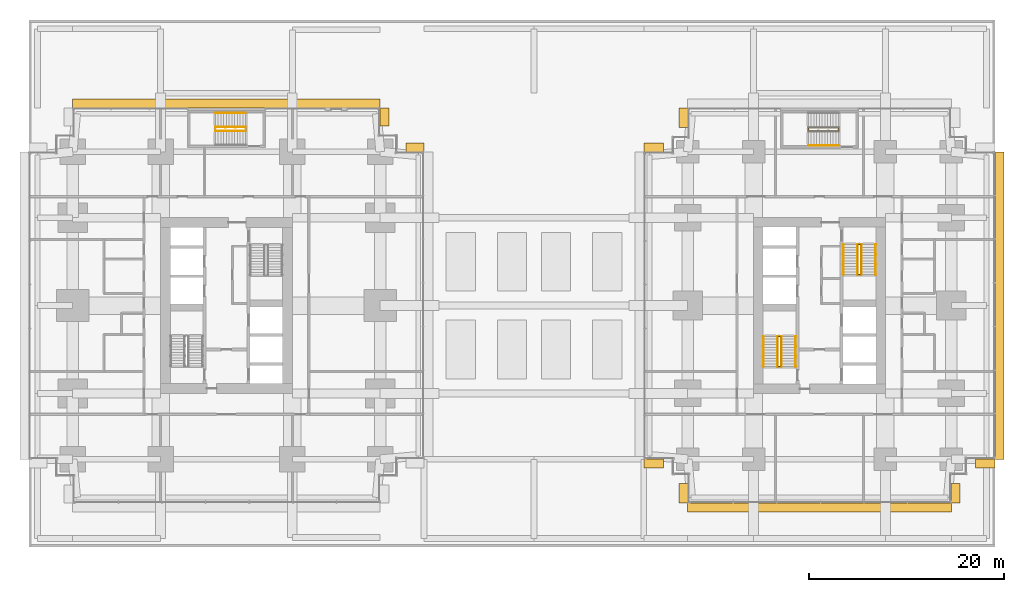
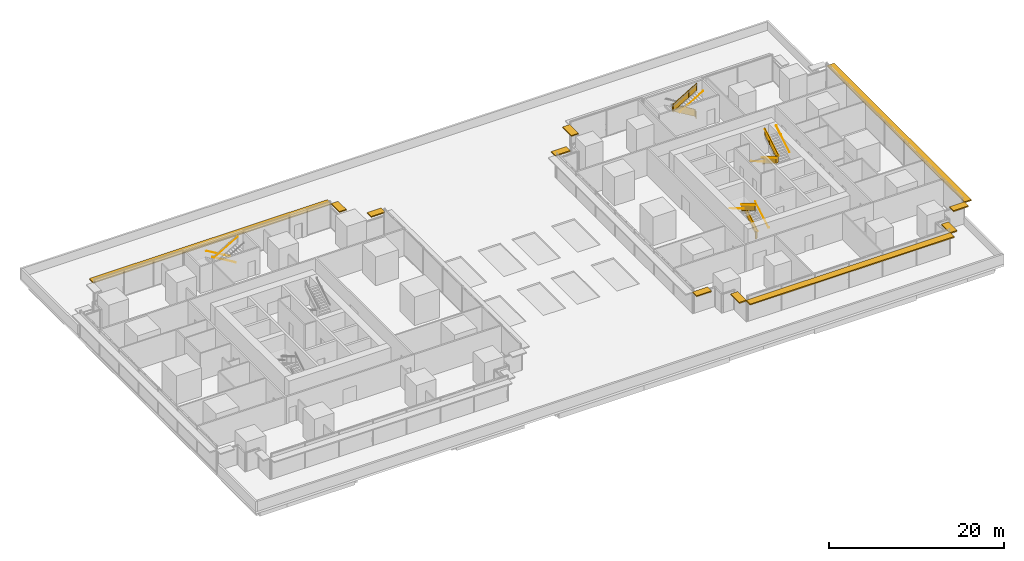
# One storey, part 33 of 34: 15 railings, 11 shading devices.
"""IFC4 building model written with IfcOpenShell, lengths in metres."""

from ifc_helpers import new_model, si_unit, direction, frame, origin, origin_2d, place, context, subcontext, project, spatial, polyline, rectangle, circle, outline, extrude, material, layer, layer_set, type_object, element, save


model = new_model("IFC4")

# Units and contexts
model_context = context("Model", 3, precision=1e-05, world=origin(), true_north=direction((0.0, 1.0)))
body_context = subcontext(model_context, "Body", "Model", "MODEL_VIEW")
ifc_project = project(units=[si_unit("LENGTHUNIT", "METRE"), si_unit("AREAUNIT", "SQUARE_METRE"), si_unit("VOLUMEUNIT", "CUBIC_METRE"), si_unit("PLANEANGLEUNIT", "RADIAN"), si_unit("MASSUNIT", "GRAM", prefix="KILO")], contexts=[model_context])

# Site, building, storey
site_placement = place(None, origin())
site = spatial("IfcSite", under=ifc_project, at=site_placement, CompositionType="ELEMENT")
building_placement = place(site_placement, origin())
building = spatial("IfcBuilding", under=site, at=building_placement, Name="Namib Vertical Campus", CompositionType="ELEMENT")
storey_placement = place(building_placement, frame((0.0, 0.0, 21.0)))
storey = spatial("IfcBuildingStorey", under=building, at=storey_placement, Name="L04", CompositionType="ELEMENT", Elevation=21.0)

# Railings
ifc_material_1 = material(Name="Steel handrail", Category="steel")
railing_type_1 = type_object("IfcRailingType", Name="Handrail 900", PredefinedType="HANDRAIL", material=ifc_material_1)
railing_1_placement = place(storey_placement, frame((78.550048828125, 14.0, 0.166748046875)))
element("IfcRailing", 1, at=railing_1_placement, inside=storey, type_object=railing_type_1, Name="Handrail HR1 B-S1 L04 1", PredefinedType="HANDRAIL", context=body_context, shape_type="SweptSolid", body=[
    extrude(circle(Radius=0.02392578125, at=origin_2d()), frame((0.0, 0.0, 0.8759765625), z_axis=(0.0, 0.859308565015, 0.511457515432), x_axis=(-1.0, 0.0, 0.0)), (0.0, 0.0, 1.0), 3.58447265625),
    extrude(circle(Radius=0.008056640625, at=origin_2d()), frame((0.0, 0.0, 0.8759765625), z_axis=(1.0, 0.0, 0.0), x_axis=(0.0, 0.0, 1.0)), (0.0, 0.0, 1.0), 0.050048828125),
    extrude(circle(Radius=0.008056640625, at=origin_2d()), frame((0.0, 1.026611328125, 1.48681640625), z_axis=(1.0, 0.0, 0.0), x_axis=(0.0, 0.0, 1.0)), (0.0, 0.0, 1.0), 0.050048828125),
    extrude(circle(Radius=0.008056640625, at=origin_2d()), frame((0.0, 2.053466796875, 2.09814453125), z_axis=(1.0, 0.0, 0.0), x_axis=(0.0, 0.0, 1.0)), (0.0, 0.0, 1.0), 0.050048828125),
    extrude(circle(Radius=0.008056640625, at=origin_2d()), frame((0.0, 3.080078125, 2.708984375), z_axis=(1.0, 0.0, 0.0), x_axis=(0.0, 0.0, 1.0)), (0.0, 0.0, 1.0), 0.050048828125),
])
railing_2_placement = place(storey_placement, frame((75.25, 17.080078125, 2.166748046875)))
element("IfcRailing", 2, at=railing_2_placement, inside=storey, type_object=railing_type_1, Name="Handrail HR1 B-S1 L04 2", PredefinedType="HANDRAIL", context=body_context, shape_type="SweptSolid", body=[
    extrude(circle(Radius=0.02392578125, at=origin_2d()), frame((0.0, 0.0, 0.8759765625), z_axis=(0.0, -0.859308565015, 0.511457515432), x_axis=(1.0, 0.0, 0.0)), (0.0, 0.0, 1.0), 3.58447265625),
    extrude(circle(Radius=0.008056640625, at=origin_2d()), frame((0.0, 0.0, 0.8759765625), z_axis=(-1.0, 0.0, 0.0), x_axis=(0.0, 0.0, 1.0)), (0.0, 0.0, 1.0), 0.050048828125),
    extrude(circle(Radius=0.008056640625, at=origin_2d()), frame((0.0, -1.026611328125, 1.48681640625), z_axis=(-1.0, 0.0, 0.0), x_axis=(0.0, 0.0, 1.0)), (0.0, 0.0, 1.0), 0.050048828125),
    extrude(circle(Radius=0.008056640625, at=origin_2d()), frame((0.0, -2.053466796875, 2.09814453125), z_axis=(-1.0, 0.0, 0.0), x_axis=(0.0, 0.0, 1.0)), (0.0, 0.0, 1.0), 0.050048828125),
    extrude(circle(Radius=0.008056640625, at=origin_2d()), frame((0.0, -3.080078125, 2.708984375), z_axis=(-1.0, 0.0, 0.0), x_axis=(0.0, 0.0, 1.0)), (0.0, 0.0, 1.0), 0.050048828125),
])
railing_3_placement = place(storey_placement, frame((77.10009765625, 14.0, 0.166748046875)))
element("IfcRailing", 3, at=railing_3_placement, inside=storey, type_object=railing_type_1, Name="Handrail HR1 B-S1 L04 1 at the well", PredefinedType="HANDRAIL", context=body_context, shape_type="SweptSolid", body=[
    extrude(circle(Radius=0.02392578125, at=origin_2d()), frame((0.0, 0.0, 0.8759765625), z_axis=(0.0, 0.859308565015, 0.511457515432), x_axis=(-1.0, 0.0, 0.0)), (0.0, 0.0, 1.0), 3.58447265625),
    extrude(circle(Radius=0.008056640625, at=origin_2d()), frame((0.0, 0.0, 0.8759765625), z_axis=(-1.0, 0.0, 0.0), x_axis=(0.0, 0.0, 1.0)), (0.0, 0.0, 1.0), 0.0400390625),
    extrude(circle(Radius=0.008056640625, at=origin_2d()), frame((0.0, 1.026611328125, 1.48681640625), z_axis=(-1.0, 0.0, 0.0), x_axis=(0.0, 0.0, 1.0)), (0.0, 0.0, 1.0), 0.0400390625),
    extrude(circle(Radius=0.008056640625, at=origin_2d()), frame((0.0, 2.053466796875, 2.09814453125), z_axis=(-1.0, 0.0, 0.0), x_axis=(0.0, 0.0, 1.0)), (0.0, 0.0, 1.0), 0.0400390625),
    extrude(circle(Radius=0.008056640625, at=origin_2d()), frame((0.0, 3.080078125, 2.708984375), z_axis=(-1.0, 0.0, 0.0), x_axis=(0.0, 0.0, 1.0)), (0.0, 0.0, 1.0), 0.0400390625),
])
railing_4_placement = place(storey_placement, frame((76.699951171875, 17.080078125, 2.166748046875)))
element("IfcRailing", 4, at=railing_4_placement, inside=storey, type_object=railing_type_1, Name="Handrail HR1 B-S1 L04 2 at the well", PredefinedType="HANDRAIL", context=body_context, shape_type="SweptSolid", body=[
    extrude(circle(Radius=0.02392578125, at=origin_2d()), frame((0.0, 0.0, 0.8759765625), z_axis=(0.0, -0.859308565015, 0.511457515432), x_axis=(1.0, 0.0, 0.0)), (0.0, 0.0, 1.0), 3.58447265625),
    extrude(circle(Radius=0.008056640625, at=origin_2d()), frame((0.0, 0.0, 0.8759765625), z_axis=(1.0, 0.0, 0.0), x_axis=(0.0, 0.0, 1.0)), (0.0, 0.0, 1.0), 0.0400390625),
    extrude(circle(Radius=0.008056640625, at=origin_2d()), frame((0.0, -1.026611328125, 1.48681640625), z_axis=(1.0, 0.0, 0.0), x_axis=(0.0, 0.0, 1.0)), (0.0, 0.0, 1.0), 0.0400390625),
    extrude(circle(Radius=0.008056640625, at=origin_2d()), frame((0.0, -2.053466796875, 2.09814453125), z_axis=(1.0, 0.0, 0.0), x_axis=(0.0, 0.0, 1.0)), (0.0, 0.0, 1.0), 0.0400390625),
    extrude(circle(Radius=0.008056640625, at=origin_2d()), frame((0.0, -3.080078125, 2.708984375), z_axis=(1.0, 0.0, 0.0), x_axis=(0.0, 0.0, 1.0)), (0.0, 0.0, 1.0), 0.0400390625),
])
railing_5_placement = place(storey_placement, frame((83.449951171875, 26.5, 0.166748046875)))
element("IfcRailing", 5, at=railing_5_placement, inside=storey, type_object=railing_type_1, Name="Handrail HR1 B-S2 L04 1", PredefinedType="HANDRAIL", context=body_context, shape_type="SweptSolid", body=[
    extrude(circle(Radius=0.02392578125, at=origin_2d()), frame((0.0, 0.0, 0.8759765625), z_axis=(0.0, -0.859308565015, 0.511457515432), x_axis=(1.0, 0.0, 0.0)), (0.0, 0.0, 1.0), 3.58447265625),
    extrude(circle(Radius=0.008056640625, at=origin_2d()), frame((0.0, 0.0, 0.8759765625), z_axis=(-1.0, 0.0, 0.0), x_axis=(0.0, 0.0, 1.0)), (0.0, 0.0, 1.0), 0.050048828125),
    extrude(circle(Radius=0.008056640625, at=origin_2d()), frame((0.0, -1.026611328125, 1.48681640625), z_axis=(-1.0, 0.0, 0.0), x_axis=(0.0, 0.0, 1.0)), (0.0, 0.0, 1.0), 0.050048828125),
    extrude(circle(Radius=0.008056640625, at=origin_2d()), frame((0.0, -2.053466796875, 2.09814453125), z_axis=(-1.0, 0.0, 0.0), x_axis=(0.0, 0.0, 1.0)), (0.0, 0.0, 1.0), 0.050048828125),
    extrude(circle(Radius=0.008056640625, at=origin_2d()), frame((0.0, -3.080078125, 2.708984375), z_axis=(-1.0, 0.0, 0.0), x_axis=(0.0, 0.0, 1.0)), (0.0, 0.0, 1.0), 0.050048828125),
])
railing_6_placement = place(storey_placement, frame((86.75, 23.419921875, 2.166748046875)))
element("IfcRailing", 6, at=railing_6_placement, inside=storey, type_object=railing_type_1, Name="Handrail HR1 B-S2 L04 2", PredefinedType="HANDRAIL", context=body_context, shape_type="SweptSolid", body=[
    extrude(circle(Radius=0.02392578125, at=origin_2d()), frame((0.0, 0.0, 0.8759765625), z_axis=(0.0, 0.859308565015, 0.511457515432), x_axis=(-1.0, 0.0, 0.0)), (0.0, 0.0, 1.0), 3.58447265625),
    extrude(circle(Radius=0.008056640625, at=origin_2d()), frame((0.0, 0.0, 0.8759765625), z_axis=(1.0, 0.0, 0.0), x_axis=(0.0, 0.0, 1.0)), (0.0, 0.0, 1.0), 0.050048828125),
    extrude(circle(Radius=0.008056640625, at=origin_2d()), frame((0.0, 1.026611328125, 1.48681640625), z_axis=(1.0, 0.0, 0.0), x_axis=(0.0, 0.0, 1.0)), (0.0, 0.0, 1.0), 0.050048828125),
    extrude(circle(Radius=0.008056640625, at=origin_2d()), frame((0.0, 2.053466796875, 2.09814453125), z_axis=(1.0, 0.0, 0.0), x_axis=(0.0, 0.0, 1.0)), (0.0, 0.0, 1.0), 0.050048828125),
    extrude(circle(Radius=0.008056640625, at=origin_2d()), frame((0.0, 3.080078125, 2.708984375), z_axis=(1.0, 0.0, 0.0), x_axis=(0.0, 0.0, 1.0)), (0.0, 0.0, 1.0), 0.050048828125),
])
railing_7_placement = place(storey_placement, frame((84.89990234375, 26.5, 0.166748046875)))
element("IfcRailing", 7, at=railing_7_placement, inside=storey, type_object=railing_type_1, Name="Handrail HR1 B-S2 L04 1 at the well", PredefinedType="HANDRAIL", context=body_context, shape_type="SweptSolid", body=[
    extrude(circle(Radius=0.02392578125, at=origin_2d()), frame((0.0, 0.0, 0.8759765625), z_axis=(0.0, -0.859308565015, 0.511457515432), x_axis=(1.0, 0.0, 0.0)), (0.0, 0.0, 1.0), 3.58447265625),
    extrude(circle(Radius=0.008056640625, at=origin_2d()), frame((0.0, 0.0, 0.8759765625), z_axis=(1.0, 0.0, 0.0), x_axis=(0.0, 0.0, 1.0)), (0.0, 0.0, 1.0), 0.0400390625),
    extrude(circle(Radius=0.008056640625, at=origin_2d()), frame((0.0, -1.026611328125, 1.48681640625), z_axis=(1.0, 0.0, 0.0), x_axis=(0.0, 0.0, 1.0)), (0.0, 0.0, 1.0), 0.0400390625),
    extrude(circle(Radius=0.008056640625, at=origin_2d()), frame((0.0, -2.053466796875, 2.09814453125), z_axis=(1.0, 0.0, 0.0), x_axis=(0.0, 0.0, 1.0)), (0.0, 0.0, 1.0), 0.0400390625),
    extrude(circle(Radius=0.008056640625, at=origin_2d()), frame((0.0, -3.080078125, 2.708984375), z_axis=(1.0, 0.0, 0.0), x_axis=(0.0, 0.0, 1.0)), (0.0, 0.0, 1.0), 0.0400390625),
])
railing_8_placement = place(storey_placement, frame((85.300048828125, 23.419921875, 2.166748046875)))
element("IfcRailing", 8, at=railing_8_placement, inside=storey, type_object=railing_type_1, Name="Handrail HR1 B-S2 L04 2 at the well", PredefinedType="HANDRAIL", context=body_context, shape_type="SweptSolid", body=[
    extrude(circle(Radius=0.02392578125, at=origin_2d()), frame((0.0, 0.0, 0.8759765625), z_axis=(0.0, 0.859308565015, 0.511457515432), x_axis=(-1.0, 0.0, 0.0)), (0.0, 0.0, 1.0), 3.58447265625),
    extrude(circle(Radius=0.008056640625, at=origin_2d()), frame((0.0, 0.0, 0.8759765625), z_axis=(-1.0, 0.0, 0.0), x_axis=(0.0, 0.0, 1.0)), (0.0, 0.0, 1.0), 0.0400390625),
    extrude(circle(Radius=0.008056640625, at=origin_2d()), frame((0.0, 1.026611328125, 1.48681640625), z_axis=(-1.0, 0.0, 0.0), x_axis=(0.0, 0.0, 1.0)), (0.0, 0.0, 1.0), 0.0400390625),
    extrude(circle(Radius=0.008056640625, at=origin_2d()), frame((0.0, 2.053466796875, 2.09814453125), z_axis=(-1.0, 0.0, 0.0), x_axis=(0.0, 0.0, 1.0)), (0.0, 0.0, 1.0), 0.0400390625),
    extrude(circle(Radius=0.008056640625, at=origin_2d()), frame((0.0, 3.080078125, 2.708984375), z_axis=(-1.0, 0.0, 0.0), x_axis=(0.0, 0.0, 1.0)), (0.0, 0.0, 1.0), 0.0400390625),
])
railing_9_placement = place(storey_placement, frame((22.199951171875, 39.949951171875, 0.166748046875)))
element("IfcRailing", 9, at=railing_9_placement, inside=storey, type_object=railing_type_1, Name="Handrail HR1 A-S3 L04 1", PredefinedType="HANDRAIL", context=body_context, shape_type="SweptSolid", body=[
    extrude(circle(Radius=0.02392578125, at=origin_2d()), frame((0.0, 0.0, 0.8759765625), z_axis=(-0.859290745958, 0.0, 0.51148745235), x_axis=(0.0, -1.0, 0.0)), (0.0, 0.0, 1.0), 3.584228515625),
    extrude(circle(Radius=0.008056640625, at=origin_2d()), frame((0.0, 0.0, 0.8759765625), z_axis=(0.0, 1.0, 0.0), x_axis=(0.0, 0.0, 1.0)), (0.0, 0.0, 1.0), 0.050048828125),
    extrude(circle(Radius=0.008056640625, at=origin_2d()), frame((-1.026611328125, 0.0, 1.48681640625), z_axis=(0.0, 1.0, 0.0), x_axis=(0.0, 0.0, 1.0)), (0.0, 0.0, 1.0), 0.050048828125),
    extrude(circle(Radius=0.008056640625, at=origin_2d()), frame((-2.05322265625, 0.0, 2.09814453125), z_axis=(0.0, 1.0, 0.0), x_axis=(0.0, 0.0, 1.0)), (0.0, 0.0, 1.0), 0.050048828125),
    extrude(circle(Radius=0.008056640625, at=origin_2d()), frame((-3.079833984375, 0.0, 2.708984375), z_axis=(0.0, 1.0, 0.0), x_axis=(0.0, 0.0, 1.0)), (0.0, 0.0, 1.0), 0.050048828125),
])
railing_10_placement = place(storey_placement, frame((22.199951171875, 38.52490234375, 0.166748046875)))
element("IfcRailing", 10, at=railing_10_placement, inside=storey, type_object=railing_type_1, Name="Handrail HR1 A-S3 L04 1 at the well", PredefinedType="HANDRAIL", context=body_context, shape_type="SweptSolid", body=[
    extrude(circle(Radius=0.02392578125, at=origin_2d()), frame((0.0, 0.0, 0.8759765625), z_axis=(-0.859290745958, 0.0, 0.51148745235), x_axis=(0.0, -1.0, 0.0)), (0.0, 0.0, 1.0), 3.584228515625),
    extrude(circle(Radius=0.008056640625, at=origin_2d()), frame((0.0, 0.0, 0.8759765625), z_axis=(0.0, -1.0, 0.0), x_axis=(0.0, 0.0, 1.0)), (0.0, 0.0, 1.0), 0.0400390625),
    extrude(circle(Radius=0.008056640625, at=origin_2d()), frame((-1.026611328125, 0.0, 1.48681640625), z_axis=(0.0, -1.0, 0.0), x_axis=(0.0, 0.0, 1.0)), (0.0, 0.0, 1.0), 0.0400390625),
    extrude(circle(Radius=0.008056640625, at=origin_2d()), frame((-2.05322265625, 0.0, 2.09814453125), z_axis=(0.0, -1.0, 0.0), x_axis=(0.0, 0.0, 1.0)), (0.0, 0.0, 1.0), 0.0400390625),
    extrude(circle(Radius=0.008056640625, at=origin_2d()), frame((-3.079833984375, 0.0, 2.708984375), z_axis=(0.0, -1.0, 0.0), x_axis=(0.0, 0.0, 1.0)), (0.0, 0.0, 1.0), 0.0400390625),
])
railing_11_placement = place(storey_placement, frame((19.1201171875, 38.125, 2.166748046875)))
element("IfcRailing", 11, at=railing_11_placement, inside=storey, type_object=railing_type_1, Name="Handrail HR1 A-S3 L04 2 at the well", PredefinedType="HANDRAIL", context=body_context, shape_type="SweptSolid", body=[
    extrude(circle(Radius=0.02392578125, at=origin_2d()), frame((0.0, 0.0, 0.8759765625), z_axis=(0.859290745958, 0.0, 0.51148745235), x_axis=(0.0, 1.0, 0.0)), (0.0, 0.0, 1.0), 3.584228515625),
    extrude(circle(Radius=0.008056640625, at=origin_2d()), frame((0.0, 0.0, 0.8759765625), z_axis=(0.0, 1.0, 0.0), x_axis=(0.0, 0.0, 1.0)), (0.0, 0.0, 1.0), 0.0400390625),
    extrude(circle(Radius=0.008056640625, at=origin_2d()), frame((1.026611328125, 0.0, 1.48681640625), z_axis=(0.0, 1.0, 0.0), x_axis=(0.0, 0.0, 1.0)), (0.0, 0.0, 1.0), 0.0400390625),
    extrude(circle(Radius=0.008056640625, at=origin_2d()), frame((2.05322265625, 0.0, 2.09814453125), z_axis=(0.0, 1.0, 0.0), x_axis=(0.0, 0.0, 1.0)), (0.0, 0.0, 1.0), 0.0400390625),
    extrude(circle(Radius=0.008056640625, at=origin_2d()), frame((3.079833984375, 0.0, 2.708984375), z_axis=(0.0, 1.0, 0.0), x_axis=(0.0, 0.0, 1.0)), (0.0, 0.0, 1.0), 0.0400390625),
])
railing_12_placement = place(storey_placement, frame((79.8701171875, 36.64990234375, 2.166748046875)))
element("IfcRailing", 12, at=railing_12_placement, inside=storey, type_object=railing_type_1, Name="Handrail HR1 B-S3 L04 2", PredefinedType="HANDRAIL", context=body_context, shape_type="SweptSolid", body=[
    extrude(circle(Radius=0.02392578125, at=origin_2d()), frame((0.0, 0.0, 0.8759765625), z_axis=(0.859290745958, 0.0, 0.51148745235), x_axis=(0.0, 1.0, 0.0)), (0.0, 0.0, 1.0), 3.584228515625),
    extrude(circle(Radius=0.008056640625, at=origin_2d()), frame((0.0, 0.0, 0.8759765625), z_axis=(0.0, -1.0, 0.0), x_axis=(0.0, 0.0, 1.0)), (0.0, 0.0, 1.0), 0.050048828125),
    extrude(circle(Radius=0.008056640625, at=origin_2d()), frame((1.026611328125, 0.0, 1.48681640625), z_axis=(0.0, -1.0, 0.0), x_axis=(0.0, 0.0, 1.0)), (0.0, 0.0, 1.0), 0.050048828125),
    extrude(circle(Radius=0.008056640625, at=origin_2d()), frame((2.05322265625, 0.0, 2.09814453125), z_axis=(0.0, -1.0, 0.0), x_axis=(0.0, 0.0, 1.0)), (0.0, 0.0, 1.0), 0.050048828125),
    extrude(circle(Radius=0.008056640625, at=origin_2d()), frame((3.079833984375, 0.0, 2.708984375), z_axis=(0.0, -1.0, 0.0), x_axis=(0.0, 0.0, 1.0)), (0.0, 0.0, 1.0), 0.050048828125),
])
ifc_material_2 = material(Name="Steel balustrade", Category="steel")
railing_type_2 = type_object("IfcRailingType", Name="Stair guard 1100", PredefinedType="GUARDRAIL", material=ifc_material_2)
railing_13_placement = place(storey_placement, frame((76.75, 14.0, 0.0)))
element("IfcRailing", 13, at=railing_13_placement, inside=storey, type_object=railing_type_2, Name="Stair guard GR1 B-S1 L04", PredefinedType="GUARDRAIL", context=body_context, shape_type="SweptSolid", body=[
    extrude(circle(Radius=0.02392578125, at=origin_2d()), frame((0.0, 0.0, 1.076171875), z_axis=(1.0, 0.0, 0.0), x_axis=(0.0, 1.0, 0.0)), (0.0, 0.0, 1.0), 0.300048828125),
    extrude(outline(polyline([(0.02099609375, 0.050048828125), (0.279052734375, 0.050048828125), (0.279052734375, 1.052001953125), (0.02099609375, 1.052001953125), (0.02099609375, 0.050048828125)])), frame((0.0, 0.010009765625, 0.0), z_axis=(0.0, -1.0, 0.0), x_axis=(1.0, 0.0, 0.0)), (0.0, 0.0, 1.0), 0.02001953125),
    extrude(circle(Radius=0.02392578125, at=origin_2d()), frame((0.300048828125, 0.0, 1.076171875), z_axis=(0.0, 0.0, 1.0), x_axis=(1.0, 0.0, 0.0)), (0.0, 0.0, 1.0), 0.166748046875),
    extrude(circle(Radius=0.02392578125, at=origin_2d()), frame((0.300048828125, 0.0, 1.24267578125), z_axis=(0.0, 0.859308565015, 0.511457515432), x_axis=(-1.0, 0.0, 0.0)), (0.0, 0.0, 1.0), 3.58447265625),
    extrude(outline(polyline([(0.02099609375, 0.0625), (3.05908203125, 1.870849609375), (3.05908203125, 2.872802734375), (0.02099609375, 1.064453125), (0.02099609375, 0.0625)])), frame((0.2900390625, 0.0, 0.166748046875), z_axis=(1.0, 0.0, 0.0), x_axis=(0.0, 1.0, 0.0)), (0.0, 0.0, 1.0), 0.02001953125),
    extrude(circle(Radius=0.02392578125, at=origin_2d()), frame((0.300048828125, 3.080078125, 3.076171875), z_axis=(-1.0, 0.0, 0.0), x_axis=(0.0, -1.0, 0.0)), (0.0, 0.0, 1.0), 0.300048828125),
    extrude(outline(polyline([(0.02099609375, 0.050048828125), (0.279052734375, 0.050048828125), (0.279052734375, 1.052001953125), (0.02099609375, 1.052001953125), (0.02099609375, 0.050048828125)])), frame((0.300048828125, 3.070068359375, 2.0), z_axis=(0.0, 1.0, 0.0), x_axis=(-1.0, 0.0, 0.0)), (0.0, 0.0, 1.0), 0.02001953125),
    extrude(circle(Radius=0.02392578125, at=origin_2d()), frame((0.0, 3.080078125, 3.076171875), z_axis=(0.0, 0.0, 1.0), x_axis=(1.0, 0.0, 0.0)), (0.0, 0.0, 1.0), 0.166748046875),
    extrude(circle(Radius=0.02392578125, at=origin_2d()), frame((0.0, 3.080078125, 3.24267578125), z_axis=(0.0, -0.859308565015, 0.511457515432), x_axis=(1.0, 0.0, 0.0)), (0.0, 0.0, 1.0), 3.58447265625),
    extrude(outline(polyline([(0.02099609375, 0.0625), (3.05908203125, 1.870849609375), (3.05908203125, 2.872802734375), (0.02099609375, 1.064453125), (0.02099609375, 0.0625)])), frame((0.010009765625, 3.080078125, 2.166748046875), z_axis=(-1.0, 0.0, 0.0), x_axis=(0.0, -1.0, 0.0)), (0.0, 0.0, 1.0), 0.02001953125),
    extrude(circle(Radius=0.02392578125, at=origin_2d()), frame((0.0, 0.0, 5.076171875), z_axis=(0.0, -1.0, 0.0), x_axis=(1.0, 0.0, 0.0)), (0.0, 0.0, 1.0), 0.050048828125),
    extrude(outline(polyline([(0.02099609375, 0.050048828125), (0.029052734375, 0.050048828125), (0.029052734375, 1.052001953125), (0.02099609375, 1.052001953125), (0.02099609375, 0.050048828125)])), frame((0.010009765625, 0.0, 4.0), z_axis=(-1.0, 0.0, 0.0), x_axis=(0.0, -1.0, 0.0)), (0.0, 0.0, 1.0), 0.02001953125),
    extrude(circle(Radius=0.02099609375, at=origin_2d()), origin(), (0.0, 0.0, 1.0), 1.052001953125),
    extrude(circle(Radius=0.02099609375, at=origin_2d()), frame((0.300048828125, 0.0, 0.166748046875)), (0.0, 0.0, 1.0), 1.052001953125),
    extrude(circle(Radius=0.02099609375, at=origin_2d()), frame((0.300048828125, 1.026611328125, 0.666748046875)), (0.0, 0.0, 1.0), 1.1630859375),
    extrude(circle(Radius=0.02099609375, at=origin_2d()), frame((0.300048828125, 2.053466796875, 1.33349609375)), (0.0, 0.0, 1.0), 1.107421875),
    extrude(circle(Radius=0.02099609375, at=origin_2d()), frame((0.300048828125, 3.080078125, 2.0)), (0.0, 0.0, 1.0), 1.052001953125),
    extrude(circle(Radius=0.02099609375, at=origin_2d()), frame((0.0, 3.080078125, 2.166748046875)), (0.0, 0.0, 1.0), 1.052001953125),
    extrude(circle(Radius=0.02099609375, at=origin_2d()), frame((0.0, 2.053466796875, 2.666748046875)), (0.0, 0.0, 1.0), 1.1630859375),
    extrude(circle(Radius=0.02099609375, at=origin_2d()), frame((0.0, 1.026611328125, 3.33349609375)), (0.0, 0.0, 1.0), 1.107421875),
    extrude(circle(Radius=0.02099609375, at=origin_2d()), frame((0.0, 0.0, 4.0)), (0.0, 0.0, 1.0), 1.052001953125),
    extrude(circle(Radius=0.02099609375, at=origin_2d()), frame((0.0, -0.050048828125, 4.0)), (0.0, 0.0, 1.0), 1.052001953125),
])
railing_14_placement = place(storey_placement, frame((85.25, 26.5, 0.0)))
element("IfcRailing", 14, at=railing_14_placement, inside=storey, type_object=railing_type_2, Name="Stair guard GR1 B-S2 L04", PredefinedType="GUARDRAIL", context=body_context, shape_type="SweptSolid", body=[
    extrude(circle(Radius=0.02392578125, at=origin_2d()), frame((0.0, 0.0, 1.076171875), z_axis=(-1.0, 0.0, 0.0), x_axis=(0.0, -1.0, 0.0)), (0.0, 0.0, 1.0), 0.300048828125),
    extrude(outline(polyline([(0.02099609375, 0.050048828125), (0.279052734375, 0.050048828125), (0.279052734375, 1.052001953125), (0.02099609375, 1.052001953125), (0.02099609375, 0.050048828125)])), frame((0.0, -0.010009765625, 0.0), z_axis=(0.0, 1.0, 0.0), x_axis=(-1.0, 0.0, 0.0)), (0.0, 0.0, 1.0), 0.02001953125),
    extrude(circle(Radius=0.02392578125, at=origin_2d()), frame((-0.300048828125, 0.0, 1.076171875), z_axis=(0.0, 0.0, 1.0), x_axis=(1.0, 0.0, 0.0)), (0.0, 0.0, 1.0), 0.166748046875),
    extrude(circle(Radius=0.02392578125, at=origin_2d()), frame((-0.300048828125, 0.0, 1.24267578125), z_axis=(0.0, -0.859308565015, 0.511457515432), x_axis=(1.0, 0.0, 0.0)), (0.0, 0.0, 1.0), 3.58447265625),
    extrude(outline(polyline([(0.02099609375, 0.0625), (3.05908203125, 1.870849609375), (3.05908203125, 2.872802734375), (0.02099609375, 1.064453125), (0.02099609375, 0.0625)])), frame((-0.2900390625, 0.0, 0.166748046875), z_axis=(-1.0, 0.0, 0.0), x_axis=(0.0, -1.0, 0.0)), (0.0, 0.0, 1.0), 0.02001953125),
    extrude(circle(Radius=0.02392578125, at=origin_2d()), frame((-0.300048828125, -3.080078125, 3.076171875), z_axis=(1.0, 0.0, 0.0), x_axis=(0.0, 1.0, 0.0)), (0.0, 0.0, 1.0), 0.300048828125),
    extrude(outline(polyline([(0.02099609375, 0.050048828125), (0.279052734375, 0.050048828125), (0.279052734375, 1.052001953125), (0.02099609375, 1.052001953125), (0.02099609375, 0.050048828125)])), frame((-0.300048828125, -3.070068359375, 2.0), z_axis=(0.0, -1.0, 0.0), x_axis=(1.0, 0.0, 0.0)), (0.0, 0.0, 1.0), 0.02001953125),
    extrude(circle(Radius=0.02392578125, at=origin_2d()), frame((0.0, -3.080078125, 3.076171875), z_axis=(0.0, 0.0, 1.0), x_axis=(1.0, 0.0, 0.0)), (0.0, 0.0, 1.0), 0.166748046875),
    extrude(circle(Radius=0.02392578125, at=origin_2d()), frame((0.0, -3.080078125, 3.24267578125), z_axis=(0.0, 0.859308565015, 0.511457515432), x_axis=(-1.0, 0.0, 0.0)), (0.0, 0.0, 1.0), 3.58447265625),
    extrude(outline(polyline([(0.02099609375, 0.0625), (3.05908203125, 1.870849609375), (3.05908203125, 2.872802734375), (0.02099609375, 1.064453125), (0.02099609375, 0.0625)])), frame((-0.010009765625, -3.080078125, 2.166748046875), z_axis=(1.0, 0.0, 0.0), x_axis=(0.0, 1.0, 0.0)), (0.0, 0.0, 1.0), 0.02001953125),
    extrude(circle(Radius=0.02392578125, at=origin_2d()), frame((0.0, 0.0, 5.076171875), z_axis=(0.0, 1.0, 0.0), x_axis=(-1.0, 0.0, 0.0)), (0.0, 0.0, 1.0), 0.050048828125),
    extrude(outline(polyline([(0.02099609375, 0.050048828125), (0.029052734375, 0.050048828125), (0.029052734375, 1.052001953125), (0.02099609375, 1.052001953125), (0.02099609375, 0.050048828125)])), frame((-0.010009765625, 0.0, 4.0), z_axis=(1.0, 0.0, 0.0), x_axis=(0.0, 1.0, 0.0)), (0.0, 0.0, 1.0), 0.02001953125),
    extrude(circle(Radius=0.02099609375, at=origin_2d()), origin(), (0.0, 0.0, 1.0), 1.052001953125),
    extrude(circle(Radius=0.02099609375, at=origin_2d()), frame((-0.300048828125, 0.0, 0.166748046875)), (0.0, 0.0, 1.0), 1.052001953125),
    extrude(circle(Radius=0.02099609375, at=origin_2d()), frame((-0.300048828125, -1.026611328125, 0.666748046875)), (0.0, 0.0, 1.0), 1.1630859375),
    extrude(circle(Radius=0.02099609375, at=origin_2d()), frame((-0.300048828125, -2.053466796875, 1.33349609375)), (0.0, 0.0, 1.0), 1.107421875),
    extrude(circle(Radius=0.02099609375, at=origin_2d()), frame((-0.300048828125, -3.080078125, 2.0)), (0.0, 0.0, 1.0), 1.052001953125),
    extrude(circle(Radius=0.02099609375, at=origin_2d()), frame((0.0, -3.080078125, 2.166748046875)), (0.0, 0.0, 1.0), 1.052001953125),
    extrude(circle(Radius=0.02099609375, at=origin_2d()), frame((0.0, -2.053466796875, 2.666748046875)), (0.0, 0.0, 1.0), 1.1630859375),
    extrude(circle(Radius=0.02099609375, at=origin_2d()), frame((0.0, -1.026611328125, 3.33349609375)), (0.0, 0.0, 1.0), 1.107421875),
    extrude(circle(Radius=0.02099609375, at=origin_2d()), frame((0.0, 0.0, 4.0)), (0.0, 0.0, 1.0), 1.052001953125),
    extrude(circle(Radius=0.02099609375, at=origin_2d()), frame((0.0, 0.050048828125, 4.0)), (0.0, 0.0, 1.0), 1.052001953125),
])
railing_15_placement = place(storey_placement, frame((82.949951171875, 38.14990234375, 0.0)))
element("IfcRailing", 15, at=railing_15_placement, inside=storey, type_object=railing_type_2, Name="Stair guard GR1 B-S3 L04", PredefinedType="GUARDRAIL", context=body_context, shape_type="SweptSolid", body=[
    extrude(circle(Radius=0.02392578125, at=origin_2d()), frame((0.0, 0.0, 1.076171875), z_axis=(0.0, 1.0, 0.0), x_axis=(-1.0, 0.0, 0.0)), (0.0, 0.0, 1.0), 0.300048828125),
    extrude(outline(polyline([(0.02099609375, 0.050048828125), (0.279052734375, 0.050048828125), (0.279052734375, 1.052001953125), (0.02099609375, 1.052001953125), (0.02099609375, 0.050048828125)])), frame((-0.010009765625, 0.0, 0.0), z_axis=(1.0, 0.0, 0.0), x_axis=(0.0, 1.0, 0.0)), (0.0, 0.0, 1.0), 0.02001953125),
    extrude(circle(Radius=0.02392578125, at=origin_2d()), frame((0.0, 0.300048828125, 1.076171875), z_axis=(0.0, 0.0, 1.0), x_axis=(1.0, 0.0, 0.0)), (0.0, 0.0, 1.0), 0.166748046875),
    extrude(circle(Radius=0.02392578125, at=origin_2d()), frame((0.0, 0.300048828125, 1.24267578125), z_axis=(-0.859290745958, 0.0, 0.51148745235), x_axis=(0.0, -1.0, 0.0)), (0.0, 0.0, 1.0), 3.584228515625),
    extrude(outline(polyline([(0.02099609375, 0.0625), (3.058837890625, 1.870849609375), (3.058837890625, 2.872802734375), (0.02099609375, 1.064453125), (0.02099609375, 0.0625)])), frame((0.0, 0.2900390625, 0.166748046875), z_axis=(0.0, 1.0, 0.0), x_axis=(-1.0, 0.0, 0.0)), (0.0, 0.0, 1.0), 0.02001953125),
    extrude(circle(Radius=0.02392578125, at=origin_2d()), frame((-3.079833984375, 0.300048828125, 3.076171875), z_axis=(0.0, -1.0, 0.0), x_axis=(1.0, 0.0, 0.0)), (0.0, 0.0, 1.0), 0.300048828125),
    extrude(outline(polyline([(0.02099609375, 0.050048828125), (0.279052734375, 0.050048828125), (0.279052734375, 1.052001953125), (0.02099609375, 1.052001953125), (0.02099609375, 0.050048828125)])), frame((-3.06982421875, 0.300048828125, 2.0), z_axis=(-1.0, 0.0, 0.0), x_axis=(0.0, -1.0, 0.0)), (0.0, 0.0, 1.0), 0.02001953125),
    extrude(circle(Radius=0.02392578125, at=origin_2d()), frame((-3.079833984375, 0.0, 3.076171875), z_axis=(0.0, 0.0, 1.0), x_axis=(1.0, 0.0, 0.0)), (0.0, 0.0, 1.0), 0.166748046875),
    extrude(circle(Radius=0.02392578125, at=origin_2d()), frame((-3.079833984375, 0.0, 3.24267578125), z_axis=(0.859290745958, 0.0, 0.51148745235), x_axis=(0.0, 1.0, 0.0)), (0.0, 0.0, 1.0), 3.584228515625),
    extrude(outline(polyline([(0.02099609375, 0.0625), (3.058837890625, 1.870849609375), (3.058837890625, 2.872802734375), (0.02099609375, 1.064453125), (0.02099609375, 0.0625)])), frame((-3.079833984375, 0.010009765625, 2.166748046875), z_axis=(0.0, -1.0, 0.0), x_axis=(1.0, 0.0, 0.0)), (0.0, 0.0, 1.0), 0.02001953125),
    extrude(circle(Radius=0.02392578125, at=origin_2d()), frame((0.0, 0.0, 5.076171875), z_axis=(1.0, 0.0, 0.0), x_axis=(0.0, 1.0, 0.0)), (0.0, 0.0, 1.0), 0.050048828125),
    extrude(outline(polyline([(0.02099609375, 0.050048828125), (0.029052734375, 0.050048828125), (0.029052734375, 1.052001953125), (0.02099609375, 1.052001953125), (0.02099609375, 0.050048828125)])), frame((0.0, 0.010009765625, 4.0), z_axis=(0.0, -1.0, 0.0), x_axis=(1.0, 0.0, 0.0)), (0.0, 0.0, 1.0), 0.02001953125),
    extrude(circle(Radius=0.02099609375, at=origin_2d()), origin(), (0.0, 0.0, 1.0), 1.052001953125),
    extrude(circle(Radius=0.02099609375, at=origin_2d()), frame((0.0, 0.300048828125, 0.166748046875)), (0.0, 0.0, 1.0), 1.052001953125),
    extrude(circle(Radius=0.02099609375, at=origin_2d()), frame((-1.026611328125, 0.300048828125, 0.666748046875)), (0.0, 0.0, 1.0), 1.1630859375),
    extrude(circle(Radius=0.02099609375, at=origin_2d()), frame((-2.05322265625, 0.300048828125, 1.33349609375)), (0.0, 0.0, 1.0), 1.107421875),
    extrude(circle(Radius=0.02099609375, at=origin_2d()), frame((-3.079833984375, 0.300048828125, 2.0)), (0.0, 0.0, 1.0), 1.052001953125),
    extrude(circle(Radius=0.02099609375, at=origin_2d()), frame((-3.079833984375, 0.0, 2.166748046875)), (0.0, 0.0, 1.0), 1.052001953125),
    extrude(circle(Radius=0.02099609375, at=origin_2d()), frame((-2.05322265625, 0.0, 2.666748046875)), (0.0, 0.0, 1.0), 1.1630859375),
    extrude(circle(Radius=0.02099609375, at=origin_2d()), frame((-1.026611328125, 0.0, 3.33349609375)), (0.0, 0.0, 1.0), 1.107421875),
    extrude(circle(Radius=0.02099609375, at=origin_2d()), frame((0.0, 0.0, 4.0)), (0.0, 0.0, 1.0), 1.052001953125),
    extrude(circle(Radius=0.02099609375, at=origin_2d()), frame((0.050048828125, 0.0, 4.0)), (0.0, 0.0, 1.0), 1.052001953125),
])

# Shading devices
ifc_material_3 = material(Name="Concrete C40/50 precast", Category="concrete")
ifc_layer = layer(ifc_material_3, 0.14990234375)
ifc_layer_set = layer_set([ifc_layer], Name="Concrete C40/50 precast")
shading_device_type = type_object("IfcShadingDeviceType", Name="Sunshade hood 900", PredefinedType="SHUTTER", material=ifc_layer_set)
for number, where, z_axis, x_axis, name in (
    (16, (39.574951171875, 36.43994140625, 3.10009765625), (0.0, 0.0, 1.0), (-1.0, 0.0, 0.0), "Sunshade SH1 L04 7"),
    (17, (36.43994140625, 39.574951171875, 3.10009765625), (0.0, 0.0, 1.0), (0.0, 1.0, 0.0), "Sunshade SH1 L04 10"),
):
    element("IfcShadingDevice", number, at=place(storey_placement, frame(where, z_axis=z_axis, x_axis=x_axis)), inside=storey, type_object=shading_device_type, Name=name, PredefinedType="SHUTTER", context=body_context, shape_type="SweptSolid", body=[
        extrude(rectangle(XDim=1.85009765625, YDim=0.919921875, at=origin_2d()), origin(), (0.0, 0.0, 1.0), 0.14990234375),
    ])
shading_device_1_placement = place(storey_placement, frame((20.25, 40.93994140625, 3.10009765625), z_axis=(0.0, 0.0, 1.0), x_axis=(-1.0, 0.0, 0.0)))
element("IfcShadingDevice", 18, at=shading_device_1_placement, inside=storey, type_object=shading_device_type, Name="Sunshade SH1 L04 11", PredefinedType="SHUTTER", context=body_context, shape_type="SweptSolid", body=[
    extrude(rectangle(XDim=31.5, YDim=0.919921875, at=origin_2d()), origin(), (0.0, 0.0, 1.0), 0.14990234375),
])
shading_device_2_placement = place(storey_placement, frame((81.0, -0.43994140625, 3.10009765625), z_axis=(0.0, 0.0, 1.0), x_axis=(1.0, 0.0, 0.0)))
element("IfcShadingDevice", 19, at=shading_device_2_placement, inside=storey, type_object=shading_device_type, Name="Sunshade SH1 L04 1", PredefinedType="SHUTTER", context=body_context, shape_type="SweptSolid", body=[
    extrude(rectangle(XDim=27.0, YDim=0.919921875, at=origin_2d()), origin(), (0.0, 0.0, 1.0), 0.14990234375),
])
for number, where, z_axis, x_axis, name in (
    (20, (94.93994140625, 1.0, 3.10009765625), (0.0, 0.0, 1.0), (0.0, 1.0, 0.0), "Sunshade SH1 L04 2"),
    (21, (98.0, 4.06005859375, 3.10009765625), (0.0, 0.0, 1.0), (1.0, 0.0, 0.0), "Sunshade SH1 L04 5"),
):
    element("IfcShadingDevice", number, at=place(storey_placement, frame(where, z_axis=z_axis, x_axis=x_axis)), inside=storey, type_object=shading_device_type, Name=name, PredefinedType="SHUTTER", context=body_context, shape_type="SweptSolid", body=[
        extrude(rectangle(XDim=2.0, YDim=0.919921875, at=origin_2d()), origin(), (0.0, 0.0, 1.0), 0.14990234375),
    ])
shading_device_3_placement = place(storey_placement, frame((99.43994140625, 20.25, 3.10009765625), z_axis=(0.0, 0.0, 1.0), x_axis=(0.0, 1.0, 0.0)))
element("IfcShadingDevice", 22, at=shading_device_3_placement, inside=storey, type_object=shading_device_type, Name="Sunshade SH1 L04 6", PredefinedType="SHUTTER", context=body_context, shape_type="SweptSolid", body=[
    extrude(rectangle(XDim=31.5, YDim=0.919921875, at=origin_2d()), origin(), (0.0, 0.0, 1.0), 0.14990234375),
])
for number, where, z_axis, x_axis, name in (
    (23, (67.06005859375, 39.5, 3.10009765625), (0.0, 0.0, 1.0), (0.0, -1.0, 0.0), "Sunshade SH1 L04 12"),
    (24, (64.0, 36.43994140625, 3.10009765625), (0.0, 0.0, 1.0), (-1.0, 0.0, 0.0), "Sunshade SH1 L04 15"),
    (25, (64.0, 4.06005859375, 3.10009765625), (0.0, 0.0, 1.0), (1.0, 0.0, 0.0), "Sunshade SH1 L04 17"),
    (26, (67.06005859375, 1.0, 3.10009765625), (0.0, 0.0, 1.0), (0.0, -1.0, 0.0), "Sunshade SH1 L04 20"),
):
    element("IfcShadingDevice", number, at=place(storey_placement, frame(where, z_axis=z_axis, x_axis=x_axis)), inside=storey, type_object=shading_device_type, Name=name, PredefinedType="SHUTTER", context=body_context, shape_type="SweptSolid", body=[
        extrude(rectangle(XDim=2.0, YDim=0.919921875, at=origin_2d()), origin(), (0.0, 0.0, 1.0), 0.14990234375),
    ])

save(model, "model.ifc")
